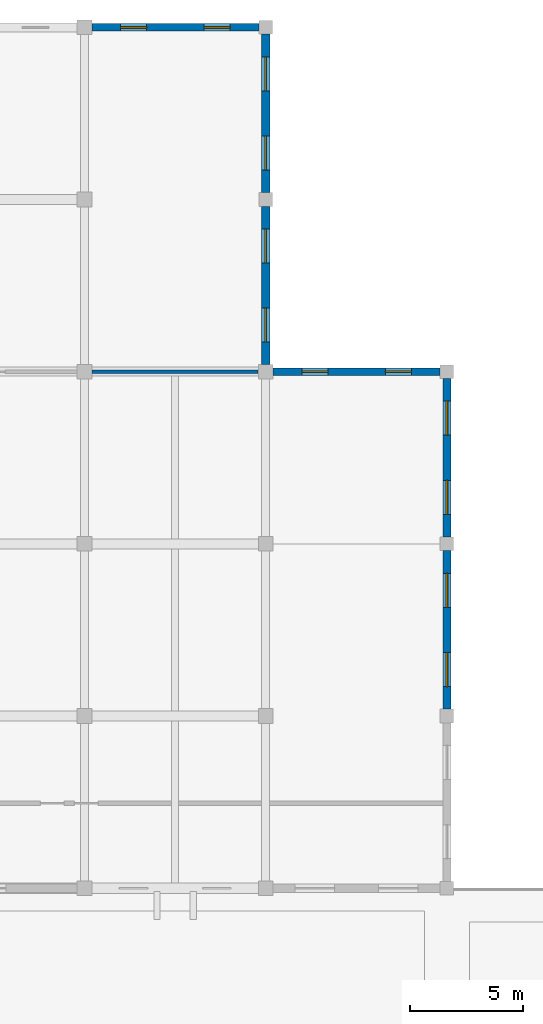
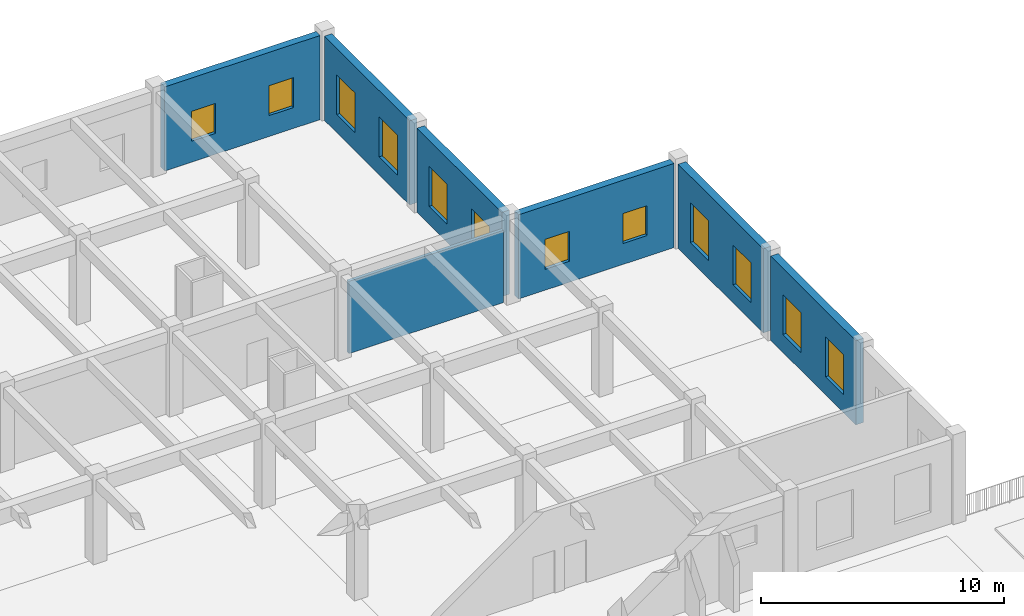
# One storey, part 62 of 79: 12 windows, 7 walls, 12 openings.
"""IFC4 building model written with IfcOpenShell, lengths in metres."""

from ifc_helpers import new_model, si_unit, direction, frame, frame_2d, origin, place, context, subcontext, project, spatial, rectangle, extrude, material, layer, layer_set, type_object, element, fill, save


model = new_model("IFC4")

# Units and contexts
model_context = context("Model", 3, precision=1e-05, world=origin(), true_north=direction((0.0, 1.0)))
body_context = subcontext(model_context, "Body", "Model", "MODEL_VIEW")
ifc_project = project(units=[si_unit("LENGTHUNIT", "METRE"), si_unit("AREAUNIT", "SQUARE_METRE"), si_unit("VOLUMEUNIT", "CUBIC_METRE"), si_unit("PLANEANGLEUNIT", "RADIAN"), si_unit("MASSUNIT", "GRAM", prefix="KILO")], contexts=[model_context])

# Site, building, storey
site_placement = place(None, origin())
site = spatial("IfcSite", under=ifc_project, at=site_placement, CompositionType="ELEMENT")
building_placement = place(site_placement, origin())
building = spatial("IfcBuilding", under=site, at=building_placement, Name="Zantavel Square City Hall", CompositionType="ELEMENT")
storey_placement = place(building_placement, frame((0.0, 0.0, 10.199951171875)))
storey = spatial("IfcBuildingStorey", under=building, at=storey_placement, Name="L03", CompositionType="ELEMENT", Elevation=10.199951171875)

# Wall, openings, windows
ifc_material_1 = material(Name="Cantera volcanic tuff stone", Category="masonry")
ifc_layer_1 = layer(ifc_material_1, 0.360107421875, Name="Cantera volcanic tuff stone")
ifc_layer_set_1 = layer_set([ifc_layer_1], Name="Cantera volcanic tuff stone")
wall_type_1 = type_object("IfcWallType", Name="Courtyard Cantera Facade Wall 360mm", PredefinedType="STANDARD", material=ifc_layer_set_1)
wall_1_placement = place(storey_placement, frame((144.0, 113.699951171875, 0.0), z_axis=(0.0, 0.0, 1.0), x_axis=(0.0, -1.0, 0.0)))
wall_1 = element("IfcWall", 1, at=wall_1_placement, inside=storey, type_object=wall_type_1, Name="L03 Exterior Wall EW-L03-091", PredefinedType="STANDARD", context=body_context, shape_type="SweptSolid", body=[
    extrude(rectangle(XDim=7.0, YDim=0.360107421875, at=frame_2d((3.5, 0.0))), origin(), (0.0, 0.0, 1.0), 4.219970703125),
])
opening_1_placement = place(wall_1_placement, frame((1.0, 0.0, 0.89990234375)))
opening_1 = element("IfcOpeningElement", 2, at=opening_1_placement, cuts=wall_1, Name="Opening W-398", PredefinedType="OPENING", context=body_context, shape_type="SweptSolid", body=[
    extrude(rectangle(XDim=1.5, YDim=2.0, at=frame_2d((0.75, 1.0))), frame((0.0, 0.18994140625, 0.0), z_axis=(0.0, -1.0, 0.0), x_axis=(1.0, 0.0, 0.0)), (0.0, 0.0, 1.0), 0.380126953125),
])
opening_2_placement = place(wall_1_placement, frame((4.5, 0.0, 0.89990234375)))
opening_2 = element("IfcOpeningElement", 3, at=opening_2_placement, cuts=wall_1, Name="Opening W-399", PredefinedType="OPENING", context=body_context, shape_type="SweptSolid", body=[
    extrude(rectangle(XDim=1.5, YDim=2.0, at=frame_2d((0.75, 1.0))), frame((0.0, 0.18994140625, 0.0), z_axis=(0.0, -1.0, 0.0), x_axis=(1.0, 0.0, 0.0)), (0.0, 0.0, 1.0), 0.380126953125),
])
ifc_material_2 = material(Name="Tempered safety glass low-E double glazing", Category="glass")
window_type_1 = type_object("IfcWindowType", Name="Window Planning Studio 1500x2000", PartitioningType="DOUBLE_PANEL_VERTICAL", PredefinedType="WINDOW", material=ifc_material_2)
window_1_placement = place(opening_1_placement, origin())
window_1 = element("IfcWindow", 4, at=window_1_placement, inside=storey, type_object=window_type_1, Name="L03 Window W-398", OverallHeight=2.0, OverallWidth=1.5, PartitioningType="DOUBLE_PANEL_VERTICAL", PredefinedType="WINDOW", context=body_context, shape_type="SweptSolid", body=[
    extrude(rectangle(XDim=1.5, YDim=2.0, at=frame_2d((0.75, 1.0))), frame((0.0, 0.030029296875, 0.0), z_axis=(0.0, -1.0, 0.0), x_axis=(1.0, 0.0, 0.0)), (0.0, 0.0, 1.0), 0.06005859375),
])
fill(opening_1, window_1)
window_2_placement = place(opening_2_placement, origin())
window_2 = element("IfcWindow", 5, at=window_2_placement, inside=storey, type_object=window_type_1, Name="L03 Window W-399", OverallHeight=2.0, OverallWidth=1.5, PartitioningType="DOUBLE_PANEL_VERTICAL", PredefinedType="WINDOW", context=body_context, shape_type="SweptSolid", body=[
    extrude(rectangle(XDim=1.5, YDim=2.0, at=frame_2d((0.75, 1.0))), frame((0.0, 0.030029296875, 0.0), z_axis=(0.0, -1.0, 0.0), x_axis=(1.0, 0.0, 0.0)), (0.0, 0.0, 1.0), 0.06005859375),
])
fill(opening_2, window_2)

wall_2_placement = place(storey_placement, frame((144.0, 106.10009765625, 0.0), z_axis=(0.0, 0.0, 1.0), x_axis=(0.0, -1.0, 0.0)))
wall_2 = element("IfcWall", 6, at=wall_2_placement, inside=storey, type_object=wall_type_1, Name="L03 Exterior Wall EW-L03-092", PredefinedType="STANDARD", context=body_context, shape_type="SweptSolid", body=[
    extrude(rectangle(XDim=6.97509765625, YDim=0.360107421875, at=frame_2d((3.487548828125, 0.0))), origin(), (0.0, 0.0, 1.0), 4.219970703125),
])
opening_3_placement = place(wall_2_placement, frame((0.99365234375, 0.0, 0.89990234375)))
opening_3 = element("IfcOpeningElement", 7, at=opening_3_placement, cuts=wall_2, Name="Opening W-400", PredefinedType="OPENING", context=body_context, shape_type="SweptSolid", body=[
    extrude(rectangle(XDim=1.5, YDim=2.0, at=frame_2d((0.75, 1.0))), frame((0.0, 0.18994140625, 0.0), z_axis=(0.0, -1.0, 0.0), x_axis=(1.0, 0.0, 0.0)), (0.0, 0.0, 1.0), 0.380126953125),
])
opening_4_placement = place(wall_2_placement, frame((4.481201171875, 0.0, 0.89990234375)))
opening_4 = element("IfcOpeningElement", 8, at=opening_4_placement, cuts=wall_2, Name="Opening W-401", PredefinedType="OPENING", context=body_context, shape_type="SweptSolid", body=[
    extrude(rectangle(XDim=1.5, YDim=2.0, at=frame_2d((0.75, 1.0))), frame((0.0, 0.18994140625, 0.0), z_axis=(0.0, -1.0, 0.0), x_axis=(1.0, 0.0, 0.0)), (0.0, 0.0, 1.0), 0.380126953125),
])
window_3_placement = place(opening_3_placement, origin())
window_3 = element("IfcWindow", 9, at=window_3_placement, inside=storey, type_object=window_type_1, Name="L03 Window W-400", OverallHeight=2.0, OverallWidth=1.5, PartitioningType="DOUBLE_PANEL_VERTICAL", PredefinedType="WINDOW", context=body_context, shape_type="SweptSolid", body=[
    extrude(rectangle(XDim=1.5, YDim=2.0, at=frame_2d((0.75, 1.0))), frame((0.0, 0.030029296875, 0.0), z_axis=(0.0, -1.0, 0.0), x_axis=(1.0, 0.0, 0.0)), (0.0, 0.0, 1.0), 0.06005859375),
])
fill(opening_3, window_3)
window_4_placement = place(opening_4_placement, origin())
window_4 = element("IfcWindow", 10, at=window_4_placement, inside=storey, type_object=window_type_1, Name="L03 Window W-401", OverallHeight=2.0, OverallWidth=1.5, PartitioningType="DOUBLE_PANEL_VERTICAL", PredefinedType="WINDOW", context=body_context, shape_type="SweptSolid", body=[
    extrude(rectangle(XDim=1.5, YDim=2.0, at=frame_2d((0.75, 1.0))), frame((0.0, 0.030029296875, 0.0), z_axis=(0.0, -1.0, 0.0), x_axis=(1.0, 0.0, 0.0)), (0.0, 0.0, 1.0), 0.06005859375),
])
fill(opening_4, window_4)

wall_3_placement = place(storey_placement, frame((152.0, 98.5, 0.0), z_axis=(0.0, 0.0, 1.0), x_axis=(0.0, -1.0, 0.0)))
wall_3 = element("IfcWall", 11, at=wall_3_placement, inside=storey, type_object=wall_type_1, Name="L03 Exterior Wall EW-L03-094", PredefinedType="STANDARD", context=body_context, shape_type="SweptSolid", body=[
    extrude(rectangle(XDim=7.0, YDim=0.360107421875, at=frame_2d((3.5, 0.0))), origin(), (0.0, 0.0, 1.0), 4.219970703125),
])
opening_5_placement = place(wall_3_placement, frame((1.0, 0.0, 0.89990234375)))
opening_5 = element("IfcOpeningElement", 12, at=opening_5_placement, cuts=wall_3, Name="Opening W-404", PredefinedType="OPENING", context=body_context, shape_type="SweptSolid", body=[
    extrude(rectangle(XDim=1.5, YDim=2.0, at=frame_2d((0.75, 1.0))), frame((0.0, 0.18994140625, 0.0), z_axis=(0.0, -1.0, 0.0), x_axis=(1.0, 0.0, 0.0)), (0.0, 0.0, 1.0), 0.380126953125),
])
opening_6_placement = place(wall_3_placement, frame((4.5, 0.0, 0.89990234375)))
opening_6 = element("IfcOpeningElement", 13, at=opening_6_placement, cuts=wall_3, Name="Opening W-405", PredefinedType="OPENING", context=body_context, shape_type="SweptSolid", body=[
    extrude(rectangle(XDim=1.5, YDim=2.0, at=frame_2d((0.75, 1.0))), frame((0.0, 0.18994140625, 0.0), z_axis=(0.0, -1.0, 0.0), x_axis=(1.0, 0.0, 0.0)), (0.0, 0.0, 1.0), 0.380126953125),
])
window_5_placement = place(opening_5_placement, origin())
window_5 = element("IfcWindow", 14, at=window_5_placement, inside=storey, type_object=window_type_1, Name="L03 Window W-404", OverallHeight=2.0, OverallWidth=1.5, PartitioningType="DOUBLE_PANEL_VERTICAL", PredefinedType="WINDOW", context=body_context, shape_type="SweptSolid", body=[
    extrude(rectangle(XDim=1.5, YDim=2.0, at=frame_2d((0.75, 1.0))), frame((0.0, 0.030029296875, 0.0), z_axis=(0.0, -1.0, 0.0), x_axis=(1.0, 0.0, 0.0)), (0.0, 0.0, 1.0), 0.06005859375),
])
fill(opening_5, window_5)
window_6_placement = place(opening_6_placement, origin())
window_6 = element("IfcWindow", 15, at=window_6_placement, inside=storey, type_object=window_type_1, Name="L03 Window W-405", OverallHeight=2.0, OverallWidth=1.5, PartitioningType="DOUBLE_PANEL_VERTICAL", PredefinedType="WINDOW", context=body_context, shape_type="SweptSolid", body=[
    extrude(rectangle(XDim=1.5, YDim=2.0, at=frame_2d((0.75, 1.0))), frame((0.0, 0.030029296875, 0.0), z_axis=(0.0, -1.0, 0.0), x_axis=(1.0, 0.0, 0.0)), (0.0, 0.0, 1.0), 0.06005859375),
])
fill(opening_6, window_6)

wall_4_placement = place(storey_placement, frame((152.0, 90.89990234375, 0.0), z_axis=(0.0, 0.0, 1.0), x_axis=(0.0, -1.0, 0.0)))
wall_4 = element("IfcWall", 16, at=wall_4_placement, inside=storey, type_object=wall_type_1, Name="L03 Exterior Wall EW-L03-095", PredefinedType="STANDARD", context=body_context, shape_type="SweptSolid", body=[
    extrude(rectangle(XDim=7.0, YDim=0.360107421875, at=frame_2d((3.5, 0.0))), origin(), (0.0, 0.0, 1.0), 4.219970703125),
])
opening_7_placement = place(wall_4_placement, frame((1.0, 0.0, 0.89990234375)))
opening_7 = element("IfcOpeningElement", 17, at=opening_7_placement, cuts=wall_4, Name="Opening W-406", PredefinedType="OPENING", context=body_context, shape_type="SweptSolid", body=[
    extrude(rectangle(XDim=1.5, YDim=2.0, at=frame_2d((0.75, 1.0))), frame((0.0, 0.18994140625, 0.0), z_axis=(0.0, -1.0, 0.0), x_axis=(1.0, 0.0, 0.0)), (0.0, 0.0, 1.0), 0.380126953125),
])
opening_8_placement = place(wall_4_placement, frame((4.5, 0.0, 0.89990234375)))
opening_8 = element("IfcOpeningElement", 18, at=opening_8_placement, cuts=wall_4, Name="Opening W-407", PredefinedType="OPENING", context=body_context, shape_type="SweptSolid", body=[
    extrude(rectangle(XDim=1.5, YDim=2.0, at=frame_2d((0.75, 1.0))), frame((0.0, 0.18994140625, 0.0), z_axis=(0.0, -1.0, 0.0), x_axis=(1.0, 0.0, 0.0)), (0.0, 0.0, 1.0), 0.380126953125),
])
window_7_placement = place(opening_7_placement, origin())
window_7 = element("IfcWindow", 19, at=window_7_placement, inside=storey, type_object=window_type_1, Name="L03 Window W-406", OverallHeight=2.0, OverallWidth=1.5, PartitioningType="DOUBLE_PANEL_VERTICAL", PredefinedType="WINDOW", context=body_context, shape_type="SweptSolid", body=[
    extrude(rectangle(XDim=1.5, YDim=2.0, at=frame_2d((0.75, 1.0))), frame((0.0, 0.030029296875, 0.0), z_axis=(0.0, -1.0, 0.0), x_axis=(1.0, 0.0, 0.0)), (0.0, 0.0, 1.0), 0.06005859375),
])
fill(opening_7, window_7)
window_8_placement = place(opening_8_placement, origin())
window_8 = element("IfcWindow", 20, at=window_8_placement, inside=storey, type_object=window_type_1, Name="L03 Window W-407", OverallHeight=2.0, OverallWidth=1.5, PartitioningType="DOUBLE_PANEL_VERTICAL", PredefinedType="WINDOW", context=body_context, shape_type="SweptSolid", body=[
    extrude(rectangle(XDim=1.5, YDim=2.0, at=frame_2d((0.75, 1.0))), frame((0.0, 0.030029296875, 0.0), z_axis=(0.0, -1.0, 0.0), x_axis=(1.0, 0.0, 0.0)), (0.0, 0.0, 1.0), 0.06005859375),
])
fill(opening_8, window_8)

# Wall
ifc_material_3 = material(Name="Gypsum acoustic stud assembly", Category="masonry")
ifc_layer_2 = layer(ifc_material_3, 0.14990234375, Name="Gypsum acoustic stud assembly")
ifc_layer_set_2 = layer_set([ifc_layer_2], Name="Gypsum acoustic stud assembly")
wall_type_2 = type_object("IfcWallType", Name="Department Office Partition 150mm", PredefinedType="PARTITIONING", material=ifc_layer_set_2)
wall_5_placement = place(storey_placement, frame((136.3349609375, 98.800048828125, 0.0), z_axis=(0.0, 0.0, 1.0), x_axis=(1.0, 0.0, 0.0)))
element("IfcWall", 21, at=wall_5_placement, inside=storey, type_object=wall_type_2, Name="L03 Interior Wall IW-L03-0282", PredefinedType="PARTITIONING", context=body_context, shape_type="SweptSolid", body=[
    extrude(rectangle(XDim=7.330078125, YDim=0.14990234375, at=frame_2d((3.6650390625, 0.0))), origin(), (0.0, 0.0, 1.0), 3.6201171875),
])

# Wall, openings, windows
ifc_layer_3 = layer(ifc_material_1, 0.340087890625, Name="Cantera volcanic tuff stone")
ifc_layer_set_3 = layer_set([ifc_layer_3], Name="Cantera volcanic tuff stone")
wall_type_3 = type_object("IfcWallType", Name="North Insulated Cantera Wall 340mm", PredefinedType="STANDARD", material=ifc_layer_set_3)
wall_6_placement = place(storey_placement, frame((136.324951171875, 114.0, 0.0), z_axis=(0.0, 0.0, 1.0), x_axis=(1.0, 0.0, 0.0)))
wall_6 = element("IfcWall", 22, at=wall_6_placement, inside=storey, type_object=wall_type_3, Name="L03 Exterior Wall EW-L03-090", PredefinedType="STANDARD", context=body_context, shape_type="SweptSolid", body=[
    extrude(rectangle(XDim=7.375, YDim=0.340087890625, at=frame_2d((3.6875, 0.0))), origin(), (0.0, 0.0, 1.0), 4.219970703125),
])
opening_9_placement = place(wall_6_placement, frame((1.268798828125, 0.0, 1.050048828125)))
opening_9 = element("IfcOpeningElement", 23, at=opening_9_placement, cuts=wall_6, Name="Opening W-396", PredefinedType="OPENING", context=body_context, shape_type="SweptSolid", body=[
    extrude(rectangle(XDim=1.14990234375, YDim=1.5, at=frame_2d((0.574951171875, 0.75))), frame((0.0, 0.179931640625, 0.0), z_axis=(0.0, -1.0, 0.0), x_axis=(1.0, 0.0, 0.0)), (0.0, 0.0, 1.0), 0.360107421875),
])
opening_10_placement = place(wall_6_placement, frame((4.956298828125, 0.0, 1.050048828125)))
opening_10 = element("IfcOpeningElement", 24, at=opening_10_placement, cuts=wall_6, Name="Opening W-397", PredefinedType="OPENING", context=body_context, shape_type="SweptSolid", body=[
    extrude(rectangle(XDim=1.14990234375, YDim=1.5, at=frame_2d((0.574951171875, 0.75))), frame((0.0, 0.179931640625, 0.0), z_axis=(0.0, -1.0, 0.0), x_axis=(1.0, 0.0, 0.0)), (0.0, 0.0, 1.0), 0.360107421875),
])
window_type_2 = type_object("IfcWindowType", Name="Window Piano Nobile North 1150x1500", PartitioningType="SINGLE_PANEL", PredefinedType="WINDOW", material=ifc_material_2)
window_9_placement = place(opening_9_placement, origin())
window_9 = element("IfcWindow", 25, at=window_9_placement, inside=storey, type_object=window_type_2, Name="L03 Window W-396", OverallHeight=1.5, OverallWidth=1.14990234375, PartitioningType="SINGLE_PANEL", PredefinedType="WINDOW", context=body_context, shape_type="SweptSolid", body=[
    extrude(rectangle(XDim=1.14990234375, YDim=1.5, at=frame_2d((0.574951171875, 0.75))), frame((0.0, 0.030029296875, 0.0), z_axis=(0.0, -1.0, 0.0), x_axis=(1.0, 0.0, 0.0)), (0.0, 0.0, 1.0), 0.06005859375),
])
fill(opening_9, window_9)
window_10_placement = place(opening_10_placement, origin())
window_10 = element("IfcWindow", 26, at=window_10_placement, inside=storey, type_object=window_type_2, Name="L03 Window W-397", OverallHeight=1.5, OverallWidth=1.14990234375, PartitioningType="SINGLE_PANEL", PredefinedType="WINDOW", context=body_context, shape_type="SweptSolid", body=[
    extrude(rectangle(XDim=1.14990234375, YDim=1.5, at=frame_2d((0.574951171875, 0.75))), frame((0.0, 0.030029296875, 0.0), z_axis=(0.0, -1.0, 0.0), x_axis=(1.0, 0.0, 0.0)), (0.0, 0.0, 1.0), 0.06005859375),
])
fill(opening_10, window_10)

wall_7_placement = place(storey_placement, frame((144.324951171875, 98.800048828125, 0.0), z_axis=(0.0, 0.0, 1.0), x_axis=(1.0, 0.0, 0.0)))
wall_7 = element("IfcWall", 27, at=wall_7_placement, inside=storey, type_object=wall_type_3, Name="L03 Exterior Wall EW-L03-093", PredefinedType="STANDARD", context=body_context, shape_type="SweptSolid", body=[
    extrude(rectangle(XDim=7.375, YDim=0.340087890625, at=frame_2d((3.6875, 0.0))), origin(), (0.0, 0.0, 1.0), 4.219970703125),
])
opening_11_placement = place(wall_7_placement, frame((1.268798828125, 0.0, 1.050048828125)))
opening_11 = element("IfcOpeningElement", 28, at=opening_11_placement, cuts=wall_7, Name="Opening W-402", PredefinedType="OPENING", context=body_context, shape_type="SweptSolid", body=[
    extrude(rectangle(XDim=1.14990234375, YDim=1.5, at=frame_2d((0.574951171875, 0.75))), frame((0.0, 0.179931640625, 0.0), z_axis=(0.0, -1.0, 0.0), x_axis=(1.0, 0.0, 0.0)), (0.0, 0.0, 1.0), 0.360107421875),
])
opening_12_placement = place(wall_7_placement, frame((4.956298828125, 0.0, 1.050048828125)))
opening_12 = element("IfcOpeningElement", 29, at=opening_12_placement, cuts=wall_7, Name="Opening W-403", PredefinedType="OPENING", context=body_context, shape_type="SweptSolid", body=[
    extrude(rectangle(XDim=1.14990234375, YDim=1.5, at=frame_2d((0.574951171875, 0.75))), frame((0.0, 0.179931640625, 0.0), z_axis=(0.0, -1.0, 0.0), x_axis=(1.0, 0.0, 0.0)), (0.0, 0.0, 1.0), 0.360107421875),
])
window_11_placement = place(opening_11_placement, origin())
window_11 = element("IfcWindow", 30, at=window_11_placement, inside=storey, type_object=window_type_2, Name="L03 Window W-402", OverallHeight=1.5, OverallWidth=1.14990234375, PartitioningType="SINGLE_PANEL", PredefinedType="WINDOW", context=body_context, shape_type="SweptSolid", body=[
    extrude(rectangle(XDim=1.14990234375, YDim=1.5, at=frame_2d((0.574951171875, 0.75))), frame((0.0, 0.030029296875, 0.0), z_axis=(0.0, -1.0, 0.0), x_axis=(1.0, 0.0, 0.0)), (0.0, 0.0, 1.0), 0.06005859375),
])
fill(opening_11, window_11)
window_12_placement = place(opening_12_placement, origin())
window_12 = element("IfcWindow", 31, at=window_12_placement, inside=storey, type_object=window_type_2, Name="L03 Window W-403", OverallHeight=1.5, OverallWidth=1.14990234375, PartitioningType="SINGLE_PANEL", PredefinedType="WINDOW", context=body_context, shape_type="SweptSolid", body=[
    extrude(rectangle(XDim=1.14990234375, YDim=1.5, at=frame_2d((0.574951171875, 0.75))), frame((0.0, 0.030029296875, 0.0), z_axis=(0.0, -1.0, 0.0), x_axis=(1.0, 0.0, 0.0)), (0.0, 0.0, 1.0), 0.06005859375),
])
fill(opening_12, window_12)

save(model, "model.ifc")
